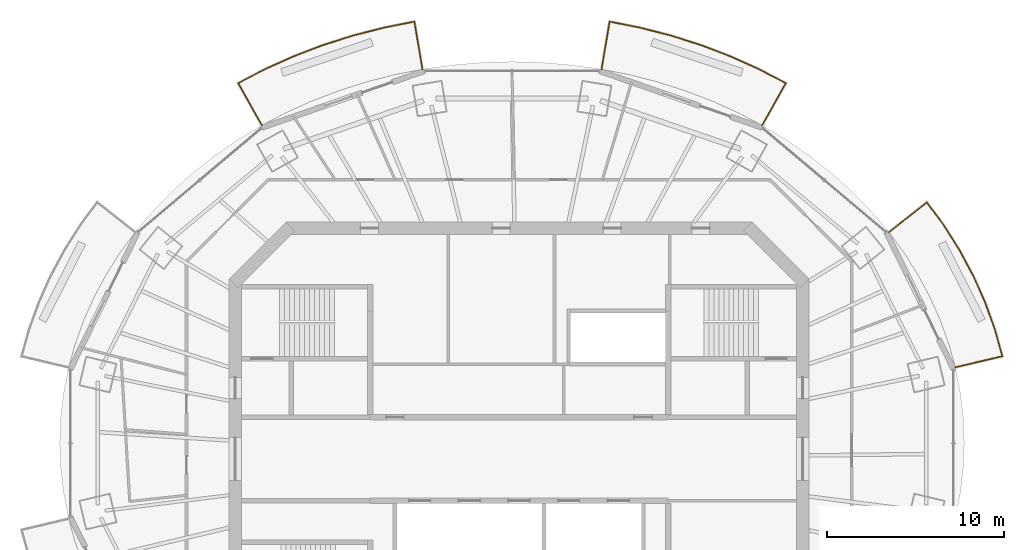
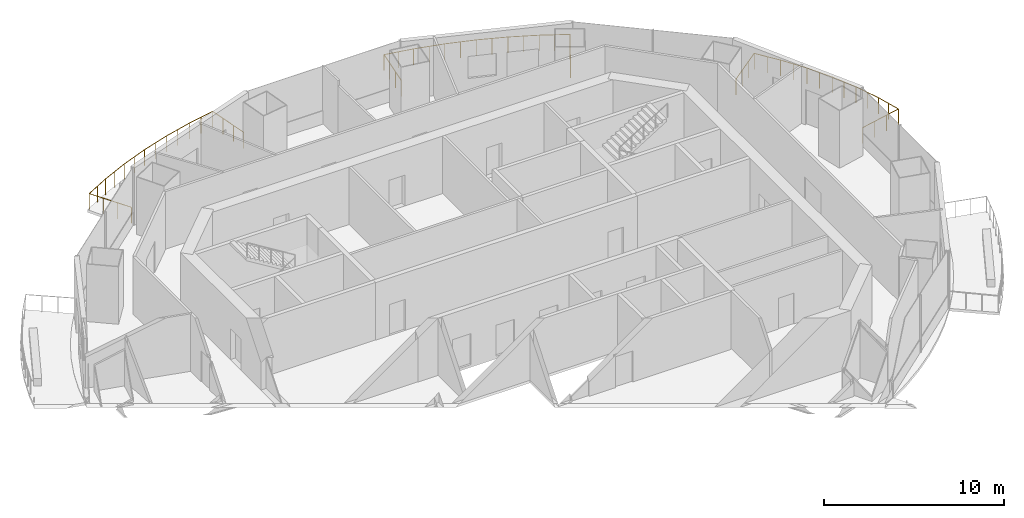
# One storey, part 13 of 14: 3 railings.
"""IFC4 building model written with IfcOpenShell, lengths in metres."""

from ifc_helpers import new_model, si_unit, direction, frame, origin, origin_2d, place, context, subcontext, project, spatial, circle, extrude, material, type_object, element, save


model = new_model("IFC4")

# Units and contexts
model_context = context("Model", 3, precision=1e-05, world=origin(), true_north=direction((0.0, 1.0)))
body_context = subcontext(model_context, "Body", "Model", "MODEL_VIEW")
ifc_project = project(units=[si_unit("LENGTHUNIT", "METRE"), si_unit("AREAUNIT", "SQUARE_METRE"), si_unit("VOLUMEUNIT", "CUBIC_METRE"), si_unit("PLANEANGLEUNIT", "RADIAN"), si_unit("MASSUNIT", "GRAM", prefix="KILO")], contexts=[model_context])

# Site, building, storey
site_placement = place(None, origin())
site = spatial("IfcSite", under=ifc_project, at=site_placement, CompositionType="ELEMENT")
building_placement = place(site_placement, origin())
building = spatial("IfcBuilding", under=site, at=building_placement, Name="Marenthal Gate Tower", CompositionType="ELEMENT")
storey_placement = place(building_placement, frame((0.0, 0.0, 392.39990234375)))
storey = spatial("IfcBuildingStorey", under=building, at=storey_placement, Name="L89", CompositionType="ELEMENT", Elevation=392.39990234375)

# Railings
ifc_material = material(Name="Stainless steel", Category="steel")
railing_type = type_object("IfcRailingType", Name="Balcony guard 1100", PredefinedType="GUARDRAIL", material=ifc_material)
railing_1_placement = place(storey_placement, frame((20.852294921875, 12.781982421875, 0.0)))
element("IfcRailing", 1, at=railing_1_placement, inside=storey, type_object=railing_type, Name="Balcony guard L89 bay 1", PredefinedType="GUARDRAIL", context=body_context, shape_type="SweptSolid", body=[
    extrude(circle(Radius=0.02392578125, at=origin_2d()), frame((0.0, 0.0, 1.076171875), z_axis=(0.783927351857, 0.620680202111, -0.014628524139), x_axis=(-0.620746623604, 0.784011243085, 0.0)), (0.0, 0.0, 1.0), 2.720458984375),
    extrude(circle(Radius=0.02392578125, at=origin_2d()), frame((2.132568359375, 1.6884765625, 1.0361328125), z_axis=(0.592007425155, -0.805932508689, 0.0), x_axis=(0.805932508689, 0.592007425155, 0.0)), (0.0, 0.0, 1.0), 1.59423828125),
    extrude(circle(Radius=0.02392578125, at=origin_2d()), frame((3.076416015625, 0.403564453125, 1.0361328125), z_axis=(0.53537343379, -0.844615466583, 0.0), x_axis=(0.844615466583, 0.53537343379, 0.0)), (0.0, 0.0, 1.0), 1.66259765625),
    extrude(circle(Radius=0.02392578125, at=origin_2d()), frame((3.966552734375, -1.000732421875, 1.0361328125), z_axis=(0.473324157966, -0.880888325207, 0.0), x_axis=(0.880888325207, 0.473324157966, 0.0)), (0.0, 0.0, 1.0), 1.652099609375),
    extrude(circle(Radius=0.02392578125, at=origin_2d()), frame((4.74853515625, -2.4560546875, 1.0361328125), z_axis=(0.407489302834, -0.913209980276, 0.0), x_axis=(0.913209980276, 0.407489302834, 0.0)), (0.0, 0.0, 1.0), 1.642822265625),
    extrude(circle(Radius=0.02392578125, at=origin_2d()), frame((5.41796875, -3.956298828125, 1.0361328125), z_axis=(0.338587245769, -0.940935001476, 0.0), x_axis=(0.940935001476, 0.338587245769, 0.0)), (0.0, 0.0, 1.0), 1.634521484375),
    extrude(circle(Radius=0.02392578125, at=origin_2d()), frame((5.971435546875, -5.494384765625, 1.0361328125), z_axis=(0.268237537757, -0.963352803151, 0.0), x_axis=(0.963352803151, 0.268237537757, 0.0)), (0.0, 0.0, 1.0), 1.548095703125),
    extrude(circle(Radius=0.02392578125, at=origin_2d()), frame((6.38671875, -6.98583984375, 1.0361328125), z_axis=(-0.97324351076, -0.229309956657, 0.014629167489), x_axis=(0.2293344982, -0.973347670637, 0.0)), (0.0, 0.0, 1.0), 2.72021484375),
    extrude(circle(Radius=0.02099609375, at=origin_2d()), origin(), (0.0, 0.0, 1.0), 1.052001953125),
    extrude(circle(Radius=0.02099609375, at=origin_2d()), frame((0.7109375, 0.562744140625, -0.01318359375)), (0.0, 0.0, 1.0), 1.052001953125),
    extrude(circle(Radius=0.02099609375, at=origin_2d()), frame((1.421630859375, 1.125732421875, -0.026611328125)), (0.0, 0.0, 1.0), 1.052001953125),
    extrude(circle(Radius=0.02099609375, at=origin_2d()), frame((2.132568359375, 1.6884765625, -0.039794921875)), (0.0, 0.0, 1.0), 1.052001953125),
    extrude(circle(Radius=0.02099609375, at=origin_2d()), frame((2.6044921875, 1.0458984375, -0.039794921875)), (0.0, 0.0, 1.0), 1.052001953125),
    extrude(circle(Radius=0.02099609375, at=origin_2d()), frame((3.076416015625, 0.403564453125, -0.039794921875)), (0.0, 0.0, 1.0), 1.052001953125),
    extrude(circle(Radius=0.02099609375, at=origin_2d()), frame((3.521484375, -0.298583984375, -0.039794921875)), (0.0, 0.0, 1.0), 1.052001953125),
    extrude(circle(Radius=0.02099609375, at=origin_2d()), frame((3.966552734375, -1.000732421875, -0.039794921875)), (0.0, 0.0, 1.0), 1.052001953125),
    extrude(circle(Radius=0.02099609375, at=origin_2d()), frame((4.357421875, -1.728515625, -0.039794921875)), (0.0, 0.0, 1.0), 1.052001953125),
    extrude(circle(Radius=0.02099609375, at=origin_2d()), frame((4.74853515625, -2.4560546875, -0.039794921875)), (0.0, 0.0, 1.0), 1.052001953125),
    extrude(circle(Radius=0.02099609375, at=origin_2d()), frame((5.083251953125, -3.2060546875, -0.039794921875)), (0.0, 0.0, 1.0), 1.052001953125),
    extrude(circle(Radius=0.02099609375, at=origin_2d()), frame((5.41796875, -3.956298828125, -0.039794921875)), (0.0, 0.0, 1.0), 1.052001953125),
    extrude(circle(Radius=0.02099609375, at=origin_2d()), frame((5.69482421875, -4.725341796875, -0.039794921875)), (0.0, 0.0, 1.0), 1.052001953125),
    extrude(circle(Radius=0.02099609375, at=origin_2d()), frame((5.971435546875, -5.494384765625, -0.039794921875)), (0.0, 0.0, 1.0), 1.052001953125),
    extrude(circle(Radius=0.02099609375, at=origin_2d()), frame((6.17919921875, -6.240234375, -0.039794921875)), (0.0, 0.0, 1.0), 1.052001953125),
    extrude(circle(Radius=0.02099609375, at=origin_2d()), frame((6.38671875, -6.98583984375, -0.039794921875)), (0.0, 0.0, 1.0), 1.052001953125),
    extrude(circle(Radius=0.02099609375, at=origin_2d()), frame((5.504150390625, -7.19384765625, -0.026611328125)), (0.0, 0.0, 1.0), 1.052001953125),
    extrude(circle(Radius=0.02099609375, at=origin_2d()), frame((4.621826171875, -7.401611328125, -0.01318359375)), (0.0, 0.0, 1.0), 1.052001953125),
    extrude(circle(Radius=0.02099609375, at=origin_2d()), frame((3.7392578125, -7.609619140625, 0.0)), (0.0, 0.0, 1.0), 1.052001953125),
])
railing_2_placement = place(storey_placement, frame((4.65380859375, 21.9736328125, 0.0)))
element("IfcRailing", 2, at=railing_2_placement, inside=storey, type_object=railing_type, Name="Balcony guard L89 bay 3", PredefinedType="GUARDRAIL", context=body_context, shape_type="SweptSolid", body=[
    extrude(circle(Radius=0.02392578125, at=origin_2d()), frame((0.0, 0.0, 1.076171875), z_axis=(0.165487323636, 0.986103423053, -0.01462821787), x_axis=(-0.98620894554, 0.16550503236, 0.0)), (0.0, 0.0, 1.0), 2.720458984375),
    extrude(circle(Radius=0.02392578125, at=origin_2d()), frame((0.4501953125, 2.6826171875, 1.0361328125), z_axis=(0.980937527529, -0.194323357023, 0.0), x_axis=(0.194323357023, 0.980937527529, 0.0)), (0.0, 0.0, 1.0), 1.728759765625),
    extrude(circle(Radius=0.02392578125, at=origin_2d()), frame((2.14599609375, 2.3466796875, 1.0361328125), z_axis=(0.968821611277, -0.247759329841, 0.0), x_axis=(0.247759329841, 0.968821611277, 0.0)), (0.0, 0.0, 1.0), 1.80224609375),
    extrude(circle(Radius=0.02392578125, at=origin_2d()), frame((3.89208984375, 1.900146484375, 1.0361328125), z_axis=(0.95315602873, -0.30247906522, 0.0), x_axis=(0.30247906522, 0.95315602873, 0.0)), (0.0, 0.0, 1.0), 1.794189453125),
    extrude(circle(Radius=0.02392578125, at=origin_2d()), frame((5.602294921875, 1.357421875, 1.0361328125), z_axis=(0.934164510517, -0.356842636594, 0.0), x_axis=(0.356842636594, 0.934164510517, 0.0)), (0.0, 0.0, 1.0), 1.784912109375),
    extrude(circle(Radius=0.02392578125, at=origin_2d()), frame((7.269775390625, 0.720458984375, 1.0361328125), z_axis=(0.911620111455, -0.411033784975, 0.0), x_axis=(0.411033784975, 0.911620111455, 0.0)), (0.0, 0.0, 1.0), 1.774658203125),
    extrude(circle(Radius=0.02392578125, at=origin_2d()), frame((8.8876953125, -0.009033203125, 1.0361328125), z_axis=(0.88630797914, -0.463096281688, 0.0), x_axis=(0.463096281688, 0.88630797914, 0.0)), (0.0, 0.0, 1.0), 1.683349609375),
    extrude(circle(Radius=0.02392578125, at=origin_2d()), frame((10.379638671875, -0.78857421875, 1.0361328125), z_axis=(-0.491197032931, -0.870925636317, 0.014629109514), x_axis=(0.871018845044, -0.491249602115, 0.0)), (0.0, 0.0, 1.0), 2.72021484375),
    extrude(circle(Radius=0.02099609375, at=origin_2d()), origin(), (0.0, 0.0, 1.0), 1.052001953125),
    extrude(circle(Radius=0.02099609375, at=origin_2d()), frame((0.150146484375, 0.894287109375, -0.01318359375)), (0.0, 0.0, 1.0), 1.052001953125),
    extrude(circle(Radius=0.02099609375, at=origin_2d()), frame((0.300048828125, 1.788330078125, -0.026611328125)), (0.0, 0.0, 1.0), 1.052001953125),
    extrude(circle(Radius=0.02099609375, at=origin_2d()), frame((0.4501953125, 2.6826171875, -0.039794921875)), (0.0, 0.0, 1.0), 1.052001953125),
    extrude(circle(Radius=0.02099609375, at=origin_2d()), frame((1.298095703125, 2.5146484375, -0.039794921875)), (0.0, 0.0, 1.0), 1.052001953125),
    extrude(circle(Radius=0.02099609375, at=origin_2d()), frame((2.14599609375, 2.3466796875, -0.039794921875)), (0.0, 0.0, 1.0), 1.052001953125),
    extrude(circle(Radius=0.02099609375, at=origin_2d()), frame((3.01904296875, 2.12353515625, -0.039794921875)), (0.0, 0.0, 1.0), 1.052001953125),
    extrude(circle(Radius=0.02099609375, at=origin_2d()), frame((3.89208984375, 1.900146484375, -0.039794921875)), (0.0, 0.0, 1.0), 1.052001953125),
    extrude(circle(Radius=0.02099609375, at=origin_2d()), frame((4.7470703125, 1.62890625, -0.039794921875)), (0.0, 0.0, 1.0), 1.052001953125),
    extrude(circle(Radius=0.02099609375, at=origin_2d()), frame((5.602294921875, 1.357421875, -0.039794921875)), (0.0, 0.0, 1.0), 1.052001953125),
    extrude(circle(Radius=0.02099609375, at=origin_2d()), frame((6.43603515625, 1.0390625, -0.039794921875)), (0.0, 0.0, 1.0), 1.052001953125),
    extrude(circle(Radius=0.02099609375, at=origin_2d()), frame((7.269775390625, 0.720458984375, -0.039794921875)), (0.0, 0.0, 1.0), 1.052001953125),
    extrude(circle(Radius=0.02099609375, at=origin_2d()), frame((8.07861328125, 0.355712890625, -0.039794921875)), (0.0, 0.0, 1.0), 1.052001953125),
    extrude(circle(Radius=0.02099609375, at=origin_2d()), frame((8.8876953125, -0.009033203125, -0.039794921875)), (0.0, 0.0, 1.0), 1.052001953125),
    extrude(circle(Radius=0.02099609375, at=origin_2d()), frame((9.6337890625, -0.39892578125, -0.039794921875)), (0.0, 0.0, 1.0), 1.052001953125),
    extrude(circle(Radius=0.02099609375, at=origin_2d()), frame((10.379638671875, -0.78857421875, -0.039794921875)), (0.0, 0.0, 1.0), 1.052001953125),
    extrude(circle(Radius=0.02099609375, at=origin_2d()), frame((9.934326171875, -1.578369140625, -0.026611328125)), (0.0, 0.0, 1.0), 1.052001953125),
    extrude(circle(Radius=0.02099609375, at=origin_2d()), frame((9.48876953125, -2.367919921875, -0.01318359375)), (0.0, 0.0, 1.0), 1.052001953125),
    extrude(circle(Radius=0.02099609375, at=origin_2d()), frame((9.04345703125, -3.15771484375, 0.0)), (0.0, 0.0, 1.0), 1.052001953125),
])
railing_3_placement = place(storey_placement, frame((-14.497314453125, 18.81591796875, 0.0)))
element("IfcRailing", 3, at=railing_3_placement, inside=storey, type_object=railing_type, Name="Balcony guard L89 bay 5", PredefinedType="GUARDRAIL", context=body_context, shape_type="SweptSolid", body=[
    extrude(circle(Radius=0.02392578125, at=origin_2d()), frame((0.0, 0.0, 1.076171875), z_axis=(-0.491197032931, 0.870925636317, -0.014629109514), x_axis=(-0.871018845044, -0.491249602115, 0.0)), (0.0, 0.0, 1.0), 2.72021484375),
    extrude(circle(Radius=0.02392578125, at=origin_2d()), frame((-1.336181640625, 2.369140625, 1.0361328125), z_axis=(0.88630797914, 0.463096281688, 0.0), x_axis=(-0.463096281688, 0.88630797914, 0.0)), (0.0, 0.0, 1.0), 1.683349609375),
    extrude(circle(Radius=0.02392578125, at=origin_2d()), frame((0.15576171875, 3.148681640625, 1.0361328125), z_axis=(0.911620111455, 0.411033784975, 0.0), x_axis=(-0.411033784975, 0.911620111455, 0.0)), (0.0, 0.0, 1.0), 1.774658203125),
    extrude(circle(Radius=0.02392578125, at=origin_2d()), frame((1.773681640625, 3.878173828125, 1.0361328125), z_axis=(0.934181923489, 0.356797048512, 0.0), x_axis=(-0.356797048512, 0.934181923489, 0.0)), (0.0, 0.0, 1.0), 1.78515625),
    extrude(circle(Radius=0.02392578125, at=origin_2d()), frame((3.44140625, 4.51513671875, 1.0361328125), z_axis=(0.95315602873, 0.30247906522, 0.0), x_axis=(-0.30247906522, 0.95315602873, 0.0)), (0.0, 0.0, 1.0), 1.794189453125),
    extrude(circle(Radius=0.02392578125, at=origin_2d()), frame((5.151611328125, 5.057861328125, 1.0361328125), z_axis=(0.96881329437, 0.247791849448, 0.0), x_axis=(-0.247791849448, 0.96881329437, 0.0)), (0.0, 0.0, 1.0), 1.802001953125),
    extrude(circle(Radius=0.02392578125, at=origin_2d()), frame((6.8974609375, 5.50439453125, 1.0361328125), z_axis=(0.980937527529, 0.194323357023, 0.0), x_axis=(-0.194323357023, 0.980937527529, 0.0)), (0.0, 0.0, 1.0), 1.728759765625),
    extrude(circle(Radius=0.02392578125, at=origin_2d()), frame((8.59326171875, 5.84033203125, 1.0361328125), z_axis=(0.165574607634, -0.986088774354, 0.014628000566), x_axis=(0.986194292137, 0.165592325172, 0.0)), (0.0, 0.0, 1.0), 2.720458984375),
    extrude(circle(Radius=0.02099609375, at=origin_2d()), origin(), (0.0, 0.0, 1.0), 1.052001953125),
    extrude(circle(Radius=0.02099609375, at=origin_2d()), frame((-0.4453125, 0.789794921875, -0.01318359375)), (0.0, 0.0, 1.0), 1.052001953125),
    extrude(circle(Radius=0.02099609375, at=origin_2d()), frame((-0.890869140625, 1.579345703125, -0.026611328125)), (0.0, 0.0, 1.0), 1.052001953125),
    extrude(circle(Radius=0.02099609375, at=origin_2d()), frame((-1.336181640625, 2.369140625, -0.039794921875)), (0.0, 0.0, 1.0), 1.052001953125),
    extrude(circle(Radius=0.02099609375, at=origin_2d()), frame((-0.59033203125, 2.7587890625, -0.039794921875)), (0.0, 0.0, 1.0), 1.052001953125),
    extrude(circle(Radius=0.02099609375, at=origin_2d()), frame((0.15576171875, 3.148681640625, -0.039794921875)), (0.0, 0.0, 1.0), 1.052001953125),
    extrude(circle(Radius=0.02099609375, at=origin_2d()), frame((0.96484375, 3.513427734375, -0.039794921875)), (0.0, 0.0, 1.0), 1.052001953125),
    extrude(circle(Radius=0.02099609375, at=origin_2d()), frame((1.773681640625, 3.878173828125, -0.039794921875)), (0.0, 0.0, 1.0), 1.052001953125),
    extrude(circle(Radius=0.02099609375, at=origin_2d()), frame((2.607421875, 4.19677734375, -0.039794921875)), (0.0, 0.0, 1.0), 1.052001953125),
    extrude(circle(Radius=0.02099609375, at=origin_2d()), frame((3.44140625, 4.51513671875, -0.039794921875)), (0.0, 0.0, 1.0), 1.052001953125),
    extrude(circle(Radius=0.02099609375, at=origin_2d()), frame((4.29638671875, 4.78662109375, -0.039794921875)), (0.0, 0.0, 1.0), 1.052001953125),
    extrude(circle(Radius=0.02099609375, at=origin_2d()), frame((5.151611328125, 5.057861328125, -0.039794921875)), (0.0, 0.0, 1.0), 1.052001953125),
    extrude(circle(Radius=0.02099609375, at=origin_2d()), frame((6.0244140625, 5.28125, -0.039794921875)), (0.0, 0.0, 1.0), 1.052001953125),
    extrude(circle(Radius=0.02099609375, at=origin_2d()), frame((6.8974609375, 5.50439453125, -0.039794921875)), (0.0, 0.0, 1.0), 1.052001953125),
    extrude(circle(Radius=0.02099609375, at=origin_2d()), frame((7.745361328125, 5.67236328125, -0.039794921875)), (0.0, 0.0, 1.0), 1.052001953125),
    extrude(circle(Radius=0.02099609375, at=origin_2d()), frame((8.59326171875, 5.84033203125, -0.039794921875)), (0.0, 0.0, 1.0), 1.052001953125),
    extrude(circle(Radius=0.02099609375, at=origin_2d()), frame((8.743408203125, 4.946044921875, -0.026611328125)), (0.0, 0.0, 1.0), 1.052001953125),
    extrude(circle(Radius=0.02099609375, at=origin_2d()), frame((8.8935546875, 4.052001953125, -0.01318359375)), (0.0, 0.0, 1.0), 1.052001953125),
    extrude(circle(Radius=0.02099609375, at=origin_2d()), frame((9.043701171875, 3.15771484375, 0.0)), (0.0, 0.0, 1.0), 1.052001953125),
])

save(model, "model.ifc")
